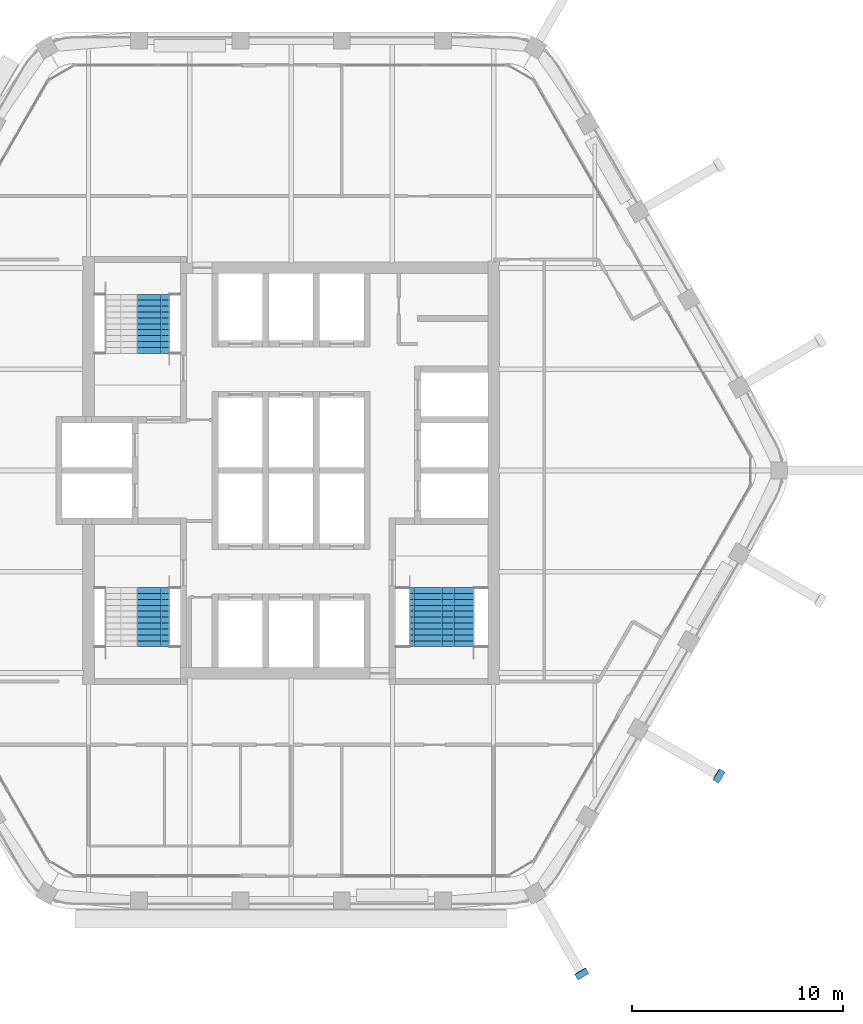
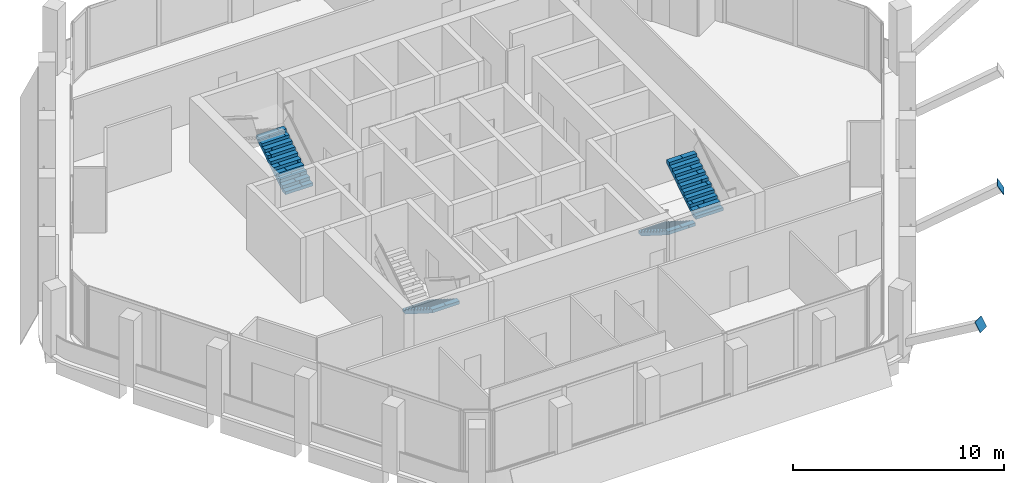
# One storey, part 11 of 14: 4 stair flights, 2 discrete accessories, 3 elements without a shape of their own.
"""IFC4 building model written with IfcOpenShell, lengths in metres."""

from ifc_helpers import new_model, si_unit, direction, frame, origin, origin_2d, place, context, subcontext, project, spatial, polyline, rectangle, outline, extrude, material, type_object, element, aggregate, save


model = new_model("IFC4")

# Units and contexts
model_context = context("Model", 3, precision=1e-05, world=origin(), true_north=direction((0.0, 1.0)))
body_context = subcontext(model_context, "Body", "Model", "MODEL_VIEW")
ifc_project = project(units=[si_unit("LENGTHUNIT", "METRE"), si_unit("AREAUNIT", "SQUARE_METRE"), si_unit("VOLUMEUNIT", "CUBIC_METRE"), si_unit("PLANEANGLEUNIT", "RADIAN"), si_unit("MASSUNIT", "GRAM", prefix="KILO")], contexts=[model_context])

# Site, building, storey
site_placement = place(None, origin())
site = spatial("IfcSite", under=ifc_project, at=site_placement, CompositionType="ELEMENT")
building_placement = place(site_placement, origin())
building = spatial("IfcBuilding", under=site, at=building_placement, Name="Kolab Exchange Tower", CompositionType="ELEMENT")
storey_placement = place(building_placement, frame((0.0, 0.0, 281.300048828125)))
storey = spatial("IfcBuildingStorey", under=building, at=storey_placement, Name="L63", CompositionType="ELEMENT", Elevation=281.300048828125)

# Stair, stair flight
ifc_material = material(Name="Concrete C50/60", Category="concrete")
stair_type_1 = type_object("IfcStairType", Name="STAIR ST1 RISER 177.3", PredefinedType="HALF_TURN_STAIR", material=ifc_material)
stair_1_placement = place(storey_placement, origin())
stair_1 = element("IfcStair", 1, at=stair_1_placement, inside=storey, type_object=stair_type_1, Name="Stair 1", PredefinedType="HALF_TURN_STAIR")
stair_flight_type = type_object("IfcStairFlightType", Name="STAIR FLIGHT 1500 RISER 177.3", PredefinedType="STRAIGHT", material=ifc_material)
stair_flight_1_placement = place(storey_placement, frame((-6.527587890625, 5.550048828125, 0.0), z_axis=(0.0, 0.0, 1.0), x_axis=(0.0, 1.0, 0.0)))
stair_flight_1 = element("IfcStairFlight", 2, at=stair_flight_1_placement, type_object=stair_flight_type, Name="ST1 flight 1", NumberOfRisers=11, NumberOfTreads=10, PredefinedType="STRAIGHT", RiserHeight=0.177272727, TreadLength=0.28, context=body_context, shape_type="SweptSolid", body=[
    extrude(outline(polyline([(0.0, 0.0), (0.0, 0.17724609375), (0.280029296875, 0.17724609375), (0.280029296875, 0.3544921875), (0.56005859375, 0.3544921875), (0.56005859375, 0.53173828125), (0.840087890625, 0.53173828125), (0.840087890625, 0.708984375), (1.1201171875, 0.708984375), (1.1201171875, 0.886474609375), (1.39990234375, 0.886474609375), (1.39990234375, 1.063720703125), (1.679931640625, 1.063720703125), (1.679931640625, 1.240966796875), (1.9599609375, 1.240966796875), (1.9599609375, 1.418212890625), (2.239990234375, 1.418212890625), (2.239990234375, 1.595458984375), (2.52001953125, 1.595458984375), (2.52001953125, 1.772705078125), (2.800048828125, 1.772705078125), (2.800048828125, 1.949951171875), (2.800048828125, 1.59521484375), (0.2802734375, 0.0), (0.0, 0.0)])), frame((0.0, 0.75, 0.0), z_axis=(0.0, -1.0, 0.0), x_axis=(1.0, 0.0, 0.0)), (0.0, 0.0, 1.0), 0.185791015625),
    extrude(outline(polyline([(0.0, 0.0), (0.0, 0.17724609375), (0.280029296875, 0.17724609375), (0.280029296875, 0.3544921875), (0.56005859375, 0.3544921875), (0.56005859375, 0.53173828125), (0.840087890625, 0.53173828125), (0.840087890625, 0.708984375), (1.1201171875, 0.708984375), (1.1201171875, 0.886474609375), (1.39990234375, 0.886474609375), (1.39990234375, 1.063720703125), (1.679931640625, 1.063720703125), (1.679931640625, 1.240966796875), (1.9599609375, 1.240966796875), (1.9599609375, 1.418212890625), (2.239990234375, 1.418212890625), (2.239990234375, 1.595458984375), (2.52001953125, 1.595458984375), (2.52001953125, 1.772705078125), (2.800048828125, 1.772705078125), (2.800048828125, 1.949951171875), (2.800048828125, 1.59521484375), (0.2802734375, 0.0), (0.0, 0.0)])), frame((0.0, 0.562255859375, 0.0), z_axis=(0.0, -1.0, 0.0), x_axis=(1.0, 0.0, 0.0)), (0.0, 0.0, 1.0), 0.185791015625),
    extrude(outline(polyline([(0.0, 0.0), (0.0, 0.17724609375), (0.280029296875, 0.17724609375), (0.280029296875, 0.3544921875), (0.56005859375, 0.3544921875), (0.56005859375, 0.53173828125), (0.840087890625, 0.53173828125), (0.840087890625, 0.708984375), (1.1201171875, 0.708984375), (1.1201171875, 0.886474609375), (1.39990234375, 0.886474609375), (1.39990234375, 1.063720703125), (1.679931640625, 1.063720703125), (1.679931640625, 1.240966796875), (1.9599609375, 1.240966796875), (1.9599609375, 1.418212890625), (2.239990234375, 1.418212890625), (2.239990234375, 1.595458984375), (2.52001953125, 1.595458984375), (2.52001953125, 1.772705078125), (2.800048828125, 1.772705078125), (2.800048828125, 1.949951171875), (2.800048828125, 1.59521484375), (0.2802734375, 0.0), (0.0, 0.0)])), frame((0.0, 0.37451171875, 0.0), z_axis=(0.0, -1.0, 0.0), x_axis=(1.0, 0.0, 0.0)), (0.0, 0.0, 1.0), 0.185791015625),
    extrude(outline(polyline([(0.0, 0.0), (0.0, 0.17724609375), (0.280029296875, 0.17724609375), (0.280029296875, 0.3544921875), (0.56005859375, 0.3544921875), (0.56005859375, 0.53173828125), (0.840087890625, 0.53173828125), (0.840087890625, 0.708984375), (1.1201171875, 0.708984375), (1.1201171875, 0.886474609375), (1.39990234375, 0.886474609375), (1.39990234375, 1.063720703125), (1.679931640625, 1.063720703125), (1.679931640625, 1.240966796875), (1.9599609375, 1.240966796875), (1.9599609375, 1.418212890625), (2.239990234375, 1.418212890625), (2.239990234375, 1.595458984375), (2.52001953125, 1.595458984375), (2.52001953125, 1.772705078125), (2.800048828125, 1.772705078125), (2.800048828125, 1.949951171875), (2.800048828125, 1.59521484375), (0.2802734375, 0.0), (0.0, 0.0)])), frame((0.0, 0.186767578125, 0.0), z_axis=(0.0, -1.0, 0.0), x_axis=(1.0, 0.0, 0.0)), (0.0, 0.0, 1.0), 0.185791015625),
    extrude(outline(polyline([(0.0, 0.0), (0.0, 0.17724609375), (0.280029296875, 0.17724609375), (0.280029296875, 0.3544921875), (0.56005859375, 0.3544921875), (0.56005859375, 0.53173828125), (0.840087890625, 0.53173828125), (0.840087890625, 0.708984375), (1.1201171875, 0.708984375), (1.1201171875, 0.886474609375), (1.39990234375, 0.886474609375), (1.39990234375, 1.063720703125), (1.679931640625, 1.063720703125), (1.679931640625, 1.240966796875), (1.9599609375, 1.240966796875), (1.9599609375, 1.418212890625), (2.239990234375, 1.418212890625), (2.239990234375, 1.595458984375), (2.52001953125, 1.595458984375), (2.52001953125, 1.772705078125), (2.800048828125, 1.772705078125), (2.800048828125, 1.949951171875), (2.800048828125, 1.59521484375), (0.2802734375, 0.0), (0.0, 0.0)])), frame((0.0, -0.0009765625, 0.0), z_axis=(0.0, -1.0, 0.0), x_axis=(1.0, 0.0, 0.0)), (0.0, 0.0, 1.0), 0.185791015625),
    extrude(outline(polyline([(0.0, 0.0), (0.0, 0.17724609375), (0.280029296875, 0.17724609375), (0.280029296875, 0.3544921875), (0.56005859375, 0.3544921875), (0.56005859375, 0.53173828125), (0.840087890625, 0.53173828125), (0.840087890625, 0.708984375), (1.1201171875, 0.708984375), (1.1201171875, 0.886474609375), (1.39990234375, 0.886474609375), (1.39990234375, 1.063720703125), (1.679931640625, 1.063720703125), (1.679931640625, 1.240966796875), (1.9599609375, 1.240966796875), (1.9599609375, 1.418212890625), (2.239990234375, 1.418212890625), (2.239990234375, 1.595458984375), (2.52001953125, 1.595458984375), (2.52001953125, 1.772705078125), (2.800048828125, 1.772705078125), (2.800048828125, 1.949951171875), (2.800048828125, 1.59521484375), (0.2802734375, 0.0), (0.0, 0.0)])), frame((0.0, -0.188720703125, 0.0), z_axis=(0.0, -1.0, 0.0), x_axis=(1.0, 0.0, 0.0)), (0.0, 0.0, 1.0), 0.185791015625),
    extrude(outline(polyline([(0.0, 0.0), (0.0, 0.17724609375), (0.280029296875, 0.17724609375), (0.280029296875, 0.3544921875), (0.56005859375, 0.3544921875), (0.56005859375, 0.53173828125), (0.840087890625, 0.53173828125), (0.840087890625, 0.708984375), (1.1201171875, 0.708984375), (1.1201171875, 0.886474609375), (1.39990234375, 0.886474609375), (1.39990234375, 1.063720703125), (1.679931640625, 1.063720703125), (1.679931640625, 1.240966796875), (1.9599609375, 1.240966796875), (1.9599609375, 1.418212890625), (2.239990234375, 1.418212890625), (2.239990234375, 1.595458984375), (2.52001953125, 1.595458984375), (2.52001953125, 1.772705078125), (2.800048828125, 1.772705078125), (2.800048828125, 1.949951171875), (2.800048828125, 1.59521484375), (0.2802734375, 0.0), (0.0, 0.0)])), frame((0.0, -0.37646484375, 0.0), z_axis=(0.0, -1.0, 0.0), x_axis=(1.0, 0.0, 0.0)), (0.0, 0.0, 1.0), 0.185791015625),
    extrude(outline(polyline([(0.0, 0.0), (0.0, 0.17724609375), (0.280029296875, 0.17724609375), (0.280029296875, 0.3544921875), (0.56005859375, 0.3544921875), (0.56005859375, 0.53173828125), (0.840087890625, 0.53173828125), (0.840087890625, 0.708984375), (1.1201171875, 0.708984375), (1.1201171875, 0.886474609375), (1.39990234375, 0.886474609375), (1.39990234375, 1.063720703125), (1.679931640625, 1.063720703125), (1.679931640625, 1.240966796875), (1.9599609375, 1.240966796875), (1.9599609375, 1.418212890625), (2.239990234375, 1.418212890625), (2.239990234375, 1.595458984375), (2.52001953125, 1.595458984375), (2.52001953125, 1.772705078125), (2.800048828125, 1.772705078125), (2.800048828125, 1.949951171875), (2.800048828125, 1.59521484375), (0.2802734375, 0.0), (0.0, 0.0)])), frame((0.0, -0.564208984375, 0.0), z_axis=(0.0, -1.0, 0.0), x_axis=(1.0, 0.0, 0.0)), (0.0, 0.0, 1.0), 0.185791015625),
])
aggregate(stair_1, [stair_flight_1])

stair_type_2 = type_object("IfcStairType", Name="STAIR ST3 RISER 177.3", PredefinedType="HALF_TURN_STAIR", material=ifc_material)
stair_2_placement = place(storey_placement, origin())
stair_2 = element("IfcStair", 3, at=stair_2_placement, inside=storey, type_object=stair_type_2, Name="Stair 3", PredefinedType="HALF_TURN_STAIR")
stair_flight_2_placement = place(storey_placement, frame((-6.527587890625, -5.550048828125, 0.0), z_axis=(0.0, 0.0, 1.0), x_axis=(0.0, -1.0, 0.0)))
stair_flight_2 = element("IfcStairFlight", 4, at=stair_flight_2_placement, type_object=stair_flight_type, Name="ST3 flight 1", NumberOfRisers=11, NumberOfTreads=10, PredefinedType="STRAIGHT", RiserHeight=0.177272727, TreadLength=0.28, context=body_context, shape_type="SweptSolid", body=[
    extrude(outline(polyline([(0.0, 0.0), (0.0, 0.17724609375), (0.280029296875, 0.17724609375), (0.280029296875, 0.3544921875), (0.56005859375, 0.3544921875), (0.56005859375, 0.53173828125), (0.840087890625, 0.53173828125), (0.840087890625, 0.708984375), (1.1201171875, 0.708984375), (1.1201171875, 0.886474609375), (1.39990234375, 0.886474609375), (1.39990234375, 1.063720703125), (1.679931640625, 1.063720703125), (1.679931640625, 1.240966796875), (1.9599609375, 1.240966796875), (1.9599609375, 1.418212890625), (2.239990234375, 1.418212890625), (2.239990234375, 1.595458984375), (2.52001953125, 1.595458984375), (2.52001953125, 1.772705078125), (2.800048828125, 1.772705078125), (2.800048828125, 1.949951171875), (2.800048828125, 1.59521484375), (0.2802734375, 0.0), (0.0, 0.0)])), frame((0.0, 0.75, 0.0), z_axis=(0.0, -1.0, 0.0), x_axis=(1.0, 0.0, 0.0)), (0.0, 0.0, 1.0), 0.185791015625),
    extrude(outline(polyline([(0.0, 0.0), (0.0, 0.17724609375), (0.280029296875, 0.17724609375), (0.280029296875, 0.3544921875), (0.56005859375, 0.3544921875), (0.56005859375, 0.53173828125), (0.840087890625, 0.53173828125), (0.840087890625, 0.708984375), (1.1201171875, 0.708984375), (1.1201171875, 0.886474609375), (1.39990234375, 0.886474609375), (1.39990234375, 1.063720703125), (1.679931640625, 1.063720703125), (1.679931640625, 1.240966796875), (1.9599609375, 1.240966796875), (1.9599609375, 1.418212890625), (2.239990234375, 1.418212890625), (2.239990234375, 1.595458984375), (2.52001953125, 1.595458984375), (2.52001953125, 1.772705078125), (2.800048828125, 1.772705078125), (2.800048828125, 1.949951171875), (2.800048828125, 1.59521484375), (0.2802734375, 0.0), (0.0, 0.0)])), frame((0.0, 0.562255859375, 0.0), z_axis=(0.0, -1.0, 0.0), x_axis=(1.0, 0.0, 0.0)), (0.0, 0.0, 1.0), 0.185791015625),
    extrude(outline(polyline([(0.0, 0.0), (0.0, 0.17724609375), (0.280029296875, 0.17724609375), (0.280029296875, 0.3544921875), (0.56005859375, 0.3544921875), (0.56005859375, 0.53173828125), (0.840087890625, 0.53173828125), (0.840087890625, 0.708984375), (1.1201171875, 0.708984375), (1.1201171875, 0.886474609375), (1.39990234375, 0.886474609375), (1.39990234375, 1.063720703125), (1.679931640625, 1.063720703125), (1.679931640625, 1.240966796875), (1.9599609375, 1.240966796875), (1.9599609375, 1.418212890625), (2.239990234375, 1.418212890625), (2.239990234375, 1.595458984375), (2.52001953125, 1.595458984375), (2.52001953125, 1.772705078125), (2.800048828125, 1.772705078125), (2.800048828125, 1.949951171875), (2.800048828125, 1.59521484375), (0.2802734375, 0.0), (0.0, 0.0)])), frame((0.0, 0.37451171875, 0.0), z_axis=(0.0, -1.0, 0.0), x_axis=(1.0, 0.0, 0.0)), (0.0, 0.0, 1.0), 0.185791015625),
    extrude(outline(polyline([(0.0, 0.0), (0.0, 0.17724609375), (0.280029296875, 0.17724609375), (0.280029296875, 0.3544921875), (0.56005859375, 0.3544921875), (0.56005859375, 0.53173828125), (0.840087890625, 0.53173828125), (0.840087890625, 0.708984375), (1.1201171875, 0.708984375), (1.1201171875, 0.886474609375), (1.39990234375, 0.886474609375), (1.39990234375, 1.063720703125), (1.679931640625, 1.063720703125), (1.679931640625, 1.240966796875), (1.9599609375, 1.240966796875), (1.9599609375, 1.418212890625), (2.239990234375, 1.418212890625), (2.239990234375, 1.595458984375), (2.52001953125, 1.595458984375), (2.52001953125, 1.772705078125), (2.800048828125, 1.772705078125), (2.800048828125, 1.949951171875), (2.800048828125, 1.59521484375), (0.2802734375, 0.0), (0.0, 0.0)])), frame((0.0, 0.186767578125, 0.0), z_axis=(0.0, -1.0, 0.0), x_axis=(1.0, 0.0, 0.0)), (0.0, 0.0, 1.0), 0.185791015625),
    extrude(outline(polyline([(0.0, 0.0), (0.0, 0.17724609375), (0.280029296875, 0.17724609375), (0.280029296875, 0.3544921875), (0.56005859375, 0.3544921875), (0.56005859375, 0.53173828125), (0.840087890625, 0.53173828125), (0.840087890625, 0.708984375), (1.1201171875, 0.708984375), (1.1201171875, 0.886474609375), (1.39990234375, 0.886474609375), (1.39990234375, 1.063720703125), (1.679931640625, 1.063720703125), (1.679931640625, 1.240966796875), (1.9599609375, 1.240966796875), (1.9599609375, 1.418212890625), (2.239990234375, 1.418212890625), (2.239990234375, 1.595458984375), (2.52001953125, 1.595458984375), (2.52001953125, 1.772705078125), (2.800048828125, 1.772705078125), (2.800048828125, 1.949951171875), (2.800048828125, 1.59521484375), (0.2802734375, 0.0), (0.0, 0.0)])), frame((0.0, -0.0009765625, 0.0), z_axis=(0.0, -1.0, 0.0), x_axis=(1.0, 0.0, 0.0)), (0.0, 0.0, 1.0), 0.185791015625),
    extrude(outline(polyline([(0.0, 0.0), (0.0, 0.17724609375), (0.280029296875, 0.17724609375), (0.280029296875, 0.3544921875), (0.56005859375, 0.3544921875), (0.56005859375, 0.53173828125), (0.840087890625, 0.53173828125), (0.840087890625, 0.708984375), (1.1201171875, 0.708984375), (1.1201171875, 0.886474609375), (1.39990234375, 0.886474609375), (1.39990234375, 1.063720703125), (1.679931640625, 1.063720703125), (1.679931640625, 1.240966796875), (1.9599609375, 1.240966796875), (1.9599609375, 1.418212890625), (2.239990234375, 1.418212890625), (2.239990234375, 1.595458984375), (2.52001953125, 1.595458984375), (2.52001953125, 1.772705078125), (2.800048828125, 1.772705078125), (2.800048828125, 1.949951171875), (2.800048828125, 1.59521484375), (0.2802734375, 0.0), (0.0, 0.0)])), frame((0.0, -0.188720703125, 0.0), z_axis=(0.0, -1.0, 0.0), x_axis=(1.0, 0.0, 0.0)), (0.0, 0.0, 1.0), 0.185791015625),
    extrude(outline(polyline([(0.0, 0.0), (0.0, 0.17724609375), (0.280029296875, 0.17724609375), (0.280029296875, 0.3544921875), (0.56005859375, 0.3544921875), (0.56005859375, 0.53173828125), (0.840087890625, 0.53173828125), (0.840087890625, 0.708984375), (1.1201171875, 0.708984375), (1.1201171875, 0.886474609375), (1.39990234375, 0.886474609375), (1.39990234375, 1.063720703125), (1.679931640625, 1.063720703125), (1.679931640625, 1.240966796875), (1.9599609375, 1.240966796875), (1.9599609375, 1.418212890625), (2.239990234375, 1.418212890625), (2.239990234375, 1.595458984375), (2.52001953125, 1.595458984375), (2.52001953125, 1.772705078125), (2.800048828125, 1.772705078125), (2.800048828125, 1.949951171875), (2.800048828125, 1.59521484375), (0.2802734375, 0.0), (0.0, 0.0)])), frame((0.0, -0.37646484375, 0.0), z_axis=(0.0, -1.0, 0.0), x_axis=(1.0, 0.0, 0.0)), (0.0, 0.0, 1.0), 0.185791015625),
    extrude(outline(polyline([(0.0, 0.0), (0.0, 0.17724609375), (0.280029296875, 0.17724609375), (0.280029296875, 0.3544921875), (0.56005859375, 0.3544921875), (0.56005859375, 0.53173828125), (0.840087890625, 0.53173828125), (0.840087890625, 0.708984375), (1.1201171875, 0.708984375), (1.1201171875, 0.886474609375), (1.39990234375, 0.886474609375), (1.39990234375, 1.063720703125), (1.679931640625, 1.063720703125), (1.679931640625, 1.240966796875), (1.9599609375, 1.240966796875), (1.9599609375, 1.418212890625), (2.239990234375, 1.418212890625), (2.239990234375, 1.595458984375), (2.52001953125, 1.595458984375), (2.52001953125, 1.772705078125), (2.800048828125, 1.772705078125), (2.800048828125, 1.949951171875), (2.800048828125, 1.59521484375), (0.2802734375, 0.0), (0.0, 0.0)])), frame((0.0, -0.564208984375, 0.0), z_axis=(0.0, -1.0, 0.0), x_axis=(1.0, 0.0, 0.0)), (0.0, 0.0, 1.0), 0.185791015625),
])
aggregate(stair_2, [stair_flight_2])

# Stair, stair flights
stair_type_3 = type_object("IfcStairType", Name="STAIR ST2 RISER 177.3", PredefinedType="HALF_TURN_STAIR", material=ifc_material)
stair_3_placement = place(storey_placement, origin())
stair_3 = element("IfcStair", 5, at=stair_3_placement, inside=storey, type_object=stair_type_3, Name="Stair 2", PredefinedType="HALF_TURN_STAIR")
stair_flight_3_placement = place(storey_placement, frame((6.37744140625, -5.550048828125, 0.0), z_axis=(0.0, 0.0, 1.0), x_axis=(0.0, -1.0, 0.0)))
stair_flight_3 = element("IfcStairFlight", 6, at=stair_flight_3_placement, type_object=stair_flight_type, Name="ST2 flight 1", NumberOfRisers=11, NumberOfTreads=10, PredefinedType="STRAIGHT", RiserHeight=0.177272727, TreadLength=0.28, context=body_context, shape_type="SweptSolid", body=[
    extrude(outline(polyline([(0.0, 0.0), (0.0, 0.17724609375), (0.280029296875, 0.17724609375), (0.280029296875, 0.3544921875), (0.56005859375, 0.3544921875), (0.56005859375, 0.53173828125), (0.840087890625, 0.53173828125), (0.840087890625, 0.708984375), (1.1201171875, 0.708984375), (1.1201171875, 0.886474609375), (1.39990234375, 0.886474609375), (1.39990234375, 1.063720703125), (1.679931640625, 1.063720703125), (1.679931640625, 1.240966796875), (1.9599609375, 1.240966796875), (1.9599609375, 1.418212890625), (2.239990234375, 1.418212890625), (2.239990234375, 1.595458984375), (2.52001953125, 1.595458984375), (2.52001953125, 1.772705078125), (2.800048828125, 1.772705078125), (2.800048828125, 1.949951171875), (2.800048828125, 1.59521484375), (0.2802734375, 0.0), (0.0, 0.0)])), frame((0.0, 0.75, 0.0), z_axis=(0.0, -1.0, 0.0), x_axis=(1.0, 0.0, 0.0)), (0.0, 0.0, 1.0), 0.185791015625),
    extrude(outline(polyline([(0.0, 0.0), (0.0, 0.17724609375), (0.280029296875, 0.17724609375), (0.280029296875, 0.3544921875), (0.56005859375, 0.3544921875), (0.56005859375, 0.53173828125), (0.840087890625, 0.53173828125), (0.840087890625, 0.708984375), (1.1201171875, 0.708984375), (1.1201171875, 0.886474609375), (1.39990234375, 0.886474609375), (1.39990234375, 1.063720703125), (1.679931640625, 1.063720703125), (1.679931640625, 1.240966796875), (1.9599609375, 1.240966796875), (1.9599609375, 1.418212890625), (2.239990234375, 1.418212890625), (2.239990234375, 1.595458984375), (2.52001953125, 1.595458984375), (2.52001953125, 1.772705078125), (2.800048828125, 1.772705078125), (2.800048828125, 1.949951171875), (2.800048828125, 1.59521484375), (0.2802734375, 0.0), (0.0, 0.0)])), frame((0.0, 0.562255859375, 0.0), z_axis=(0.0, -1.0, 0.0), x_axis=(1.0, 0.0, 0.0)), (0.0, 0.0, 1.0), 0.185791015625),
    extrude(outline(polyline([(0.0, 0.0), (0.0, 0.17724609375), (0.280029296875, 0.17724609375), (0.280029296875, 0.3544921875), (0.56005859375, 0.3544921875), (0.56005859375, 0.53173828125), (0.840087890625, 0.53173828125), (0.840087890625, 0.708984375), (1.1201171875, 0.708984375), (1.1201171875, 0.886474609375), (1.39990234375, 0.886474609375), (1.39990234375, 1.063720703125), (1.679931640625, 1.063720703125), (1.679931640625, 1.240966796875), (1.9599609375, 1.240966796875), (1.9599609375, 1.418212890625), (2.239990234375, 1.418212890625), (2.239990234375, 1.595458984375), (2.52001953125, 1.595458984375), (2.52001953125, 1.772705078125), (2.800048828125, 1.772705078125), (2.800048828125, 1.949951171875), (2.800048828125, 1.59521484375), (0.2802734375, 0.0), (0.0, 0.0)])), frame((0.0, 0.37451171875, 0.0), z_axis=(0.0, -1.0, 0.0), x_axis=(1.0, 0.0, 0.0)), (0.0, 0.0, 1.0), 0.185791015625),
    extrude(outline(polyline([(0.0, 0.0), (0.0, 0.17724609375), (0.280029296875, 0.17724609375), (0.280029296875, 0.3544921875), (0.56005859375, 0.3544921875), (0.56005859375, 0.53173828125), (0.840087890625, 0.53173828125), (0.840087890625, 0.708984375), (1.1201171875, 0.708984375), (1.1201171875, 0.886474609375), (1.39990234375, 0.886474609375), (1.39990234375, 1.063720703125), (1.679931640625, 1.063720703125), (1.679931640625, 1.240966796875), (1.9599609375, 1.240966796875), (1.9599609375, 1.418212890625), (2.239990234375, 1.418212890625), (2.239990234375, 1.595458984375), (2.52001953125, 1.595458984375), (2.52001953125, 1.772705078125), (2.800048828125, 1.772705078125), (2.800048828125, 1.949951171875), (2.800048828125, 1.59521484375), (0.2802734375, 0.0), (0.0, 0.0)])), frame((0.0, 0.186767578125, 0.0), z_axis=(0.0, -1.0, 0.0), x_axis=(1.0, 0.0, 0.0)), (0.0, 0.0, 1.0), 0.185791015625),
    extrude(outline(polyline([(0.0, 0.0), (0.0, 0.17724609375), (0.280029296875, 0.17724609375), (0.280029296875, 0.3544921875), (0.56005859375, 0.3544921875), (0.56005859375, 0.53173828125), (0.840087890625, 0.53173828125), (0.840087890625, 0.708984375), (1.1201171875, 0.708984375), (1.1201171875, 0.886474609375), (1.39990234375, 0.886474609375), (1.39990234375, 1.063720703125), (1.679931640625, 1.063720703125), (1.679931640625, 1.240966796875), (1.9599609375, 1.240966796875), (1.9599609375, 1.418212890625), (2.239990234375, 1.418212890625), (2.239990234375, 1.595458984375), (2.52001953125, 1.595458984375), (2.52001953125, 1.772705078125), (2.800048828125, 1.772705078125), (2.800048828125, 1.949951171875), (2.800048828125, 1.59521484375), (0.2802734375, 0.0), (0.0, 0.0)])), frame((0.0, -0.0009765625, 0.0), z_axis=(0.0, -1.0, 0.0), x_axis=(1.0, 0.0, 0.0)), (0.0, 0.0, 1.0), 0.185791015625),
    extrude(outline(polyline([(0.0, 0.0), (0.0, 0.17724609375), (0.280029296875, 0.17724609375), (0.280029296875, 0.3544921875), (0.56005859375, 0.3544921875), (0.56005859375, 0.53173828125), (0.840087890625, 0.53173828125), (0.840087890625, 0.708984375), (1.1201171875, 0.708984375), (1.1201171875, 0.886474609375), (1.39990234375, 0.886474609375), (1.39990234375, 1.063720703125), (1.679931640625, 1.063720703125), (1.679931640625, 1.240966796875), (1.9599609375, 1.240966796875), (1.9599609375, 1.418212890625), (2.239990234375, 1.418212890625), (2.239990234375, 1.595458984375), (2.52001953125, 1.595458984375), (2.52001953125, 1.772705078125), (2.800048828125, 1.772705078125), (2.800048828125, 1.949951171875), (2.800048828125, 1.59521484375), (0.2802734375, 0.0), (0.0, 0.0)])), frame((0.0, -0.188720703125, 0.0), z_axis=(0.0, -1.0, 0.0), x_axis=(1.0, 0.0, 0.0)), (0.0, 0.0, 1.0), 0.185791015625),
    extrude(outline(polyline([(0.0, 0.0), (0.0, 0.17724609375), (0.280029296875, 0.17724609375), (0.280029296875, 0.3544921875), (0.56005859375, 0.3544921875), (0.56005859375, 0.53173828125), (0.840087890625, 0.53173828125), (0.840087890625, 0.708984375), (1.1201171875, 0.708984375), (1.1201171875, 0.886474609375), (1.39990234375, 0.886474609375), (1.39990234375, 1.063720703125), (1.679931640625, 1.063720703125), (1.679931640625, 1.240966796875), (1.9599609375, 1.240966796875), (1.9599609375, 1.418212890625), (2.239990234375, 1.418212890625), (2.239990234375, 1.595458984375), (2.52001953125, 1.595458984375), (2.52001953125, 1.772705078125), (2.800048828125, 1.772705078125), (2.800048828125, 1.949951171875), (2.800048828125, 1.59521484375), (0.2802734375, 0.0), (0.0, 0.0)])), frame((0.0, -0.37646484375, 0.0), z_axis=(0.0, -1.0, 0.0), x_axis=(1.0, 0.0, 0.0)), (0.0, 0.0, 1.0), 0.185791015625),
    extrude(outline(polyline([(0.0, 0.0), (0.0, 0.17724609375), (0.280029296875, 0.17724609375), (0.280029296875, 0.3544921875), (0.56005859375, 0.3544921875), (0.56005859375, 0.53173828125), (0.840087890625, 0.53173828125), (0.840087890625, 0.708984375), (1.1201171875, 0.708984375), (1.1201171875, 0.886474609375), (1.39990234375, 0.886474609375), (1.39990234375, 1.063720703125), (1.679931640625, 1.063720703125), (1.679931640625, 1.240966796875), (1.9599609375, 1.240966796875), (1.9599609375, 1.418212890625), (2.239990234375, 1.418212890625), (2.239990234375, 1.595458984375), (2.52001953125, 1.595458984375), (2.52001953125, 1.772705078125), (2.800048828125, 1.772705078125), (2.800048828125, 1.949951171875), (2.800048828125, 1.59521484375), (0.2802734375, 0.0), (0.0, 0.0)])), frame((0.0, -0.564208984375, 0.0), z_axis=(0.0, -1.0, 0.0), x_axis=(1.0, 0.0, 0.0)), (0.0, 0.0, 1.0), 0.185791015625),
])
stair_flight_4_placement = place(storey_placement, frame((7.8974609375, -8.35009765625, 1.949951171875), z_axis=(0.0, 0.0, 1.0), x_axis=(0.0, 1.0, 0.0)))
stair_flight_4 = element("IfcStairFlight", 7, at=stair_flight_4_placement, type_object=stair_flight_type, Name="ST2 flight 2", NumberOfRisers=11, NumberOfTreads=10, PredefinedType="STRAIGHT", RiserHeight=0.177272727, TreadLength=0.28, context=body_context, shape_type="SweptSolid", body=[
    extrude(outline(polyline([(0.0, 0.0), (0.0, 0.17724609375), (0.280029296875, 0.17724609375), (0.280029296875, 0.3544921875), (0.56005859375, 0.3544921875), (0.56005859375, 0.53173828125), (0.840087890625, 0.53173828125), (0.840087890625, 0.708984375), (1.1201171875, 0.708984375), (1.1201171875, 0.886474609375), (1.39990234375, 0.886474609375), (1.39990234375, 1.063720703125), (1.679931640625, 1.063720703125), (1.679931640625, 1.240966796875), (1.9599609375, 1.240966796875), (1.9599609375, 1.418212890625), (2.239990234375, 1.418212890625), (2.239990234375, 1.595458984375), (2.52001953125, 1.595458984375), (2.52001953125, 1.772705078125), (2.800048828125, 1.772705078125), (2.800048828125, 1.949951171875), (2.800048828125, 1.59521484375), (0.2802734375, 0.0), (0.0, 0.0)])), frame((0.0, 0.75, 0.0), z_axis=(0.0, -1.0, 0.0), x_axis=(1.0, 0.0, 0.0)), (0.0, 0.0, 1.0), 0.185791015625),
    extrude(outline(polyline([(0.0, 0.0), (0.0, 0.17724609375), (0.280029296875, 0.17724609375), (0.280029296875, 0.3544921875), (0.56005859375, 0.3544921875), (0.56005859375, 0.53173828125), (0.840087890625, 0.53173828125), (0.840087890625, 0.708984375), (1.1201171875, 0.708984375), (1.1201171875, 0.886474609375), (1.39990234375, 0.886474609375), (1.39990234375, 1.063720703125), (1.679931640625, 1.063720703125), (1.679931640625, 1.240966796875), (1.9599609375, 1.240966796875), (1.9599609375, 1.418212890625), (2.239990234375, 1.418212890625), (2.239990234375, 1.595458984375), (2.52001953125, 1.595458984375), (2.52001953125, 1.772705078125), (2.800048828125, 1.772705078125), (2.800048828125, 1.949951171875), (2.800048828125, 1.59521484375), (0.2802734375, 0.0), (0.0, 0.0)])), frame((0.0, 0.562255859375, 0.0), z_axis=(0.0, -1.0, 0.0), x_axis=(1.0, 0.0, 0.0)), (0.0, 0.0, 1.0), 0.185791015625),
    extrude(outline(polyline([(0.0, 0.0), (0.0, 0.17724609375), (0.280029296875, 0.17724609375), (0.280029296875, 0.3544921875), (0.56005859375, 0.3544921875), (0.56005859375, 0.53173828125), (0.840087890625, 0.53173828125), (0.840087890625, 0.708984375), (1.1201171875, 0.708984375), (1.1201171875, 0.886474609375), (1.39990234375, 0.886474609375), (1.39990234375, 1.063720703125), (1.679931640625, 1.063720703125), (1.679931640625, 1.240966796875), (1.9599609375, 1.240966796875), (1.9599609375, 1.418212890625), (2.239990234375, 1.418212890625), (2.239990234375, 1.595458984375), (2.52001953125, 1.595458984375), (2.52001953125, 1.772705078125), (2.800048828125, 1.772705078125), (2.800048828125, 1.949951171875), (2.800048828125, 1.59521484375), (0.2802734375, 0.0), (0.0, 0.0)])), frame((0.0, 0.37451171875, 0.0), z_axis=(0.0, -1.0, 0.0), x_axis=(1.0, 0.0, 0.0)), (0.0, 0.0, 1.0), 0.185791015625),
    extrude(outline(polyline([(0.0, 0.0), (0.0, 0.17724609375), (0.280029296875, 0.17724609375), (0.280029296875, 0.3544921875), (0.56005859375, 0.3544921875), (0.56005859375, 0.53173828125), (0.840087890625, 0.53173828125), (0.840087890625, 0.708984375), (1.1201171875, 0.708984375), (1.1201171875, 0.886474609375), (1.39990234375, 0.886474609375), (1.39990234375, 1.063720703125), (1.679931640625, 1.063720703125), (1.679931640625, 1.240966796875), (1.9599609375, 1.240966796875), (1.9599609375, 1.418212890625), (2.239990234375, 1.418212890625), (2.239990234375, 1.595458984375), (2.52001953125, 1.595458984375), (2.52001953125, 1.772705078125), (2.800048828125, 1.772705078125), (2.800048828125, 1.949951171875), (2.800048828125, 1.59521484375), (0.2802734375, 0.0), (0.0, 0.0)])), frame((0.0, 0.186767578125, 0.0), z_axis=(0.0, -1.0, 0.0), x_axis=(1.0, 0.0, 0.0)), (0.0, 0.0, 1.0), 0.185791015625),
    extrude(outline(polyline([(0.0, 0.0), (0.0, 0.17724609375), (0.280029296875, 0.17724609375), (0.280029296875, 0.3544921875), (0.56005859375, 0.3544921875), (0.56005859375, 0.53173828125), (0.840087890625, 0.53173828125), (0.840087890625, 0.708984375), (1.1201171875, 0.708984375), (1.1201171875, 0.886474609375), (1.39990234375, 0.886474609375), (1.39990234375, 1.063720703125), (1.679931640625, 1.063720703125), (1.679931640625, 1.240966796875), (1.9599609375, 1.240966796875), (1.9599609375, 1.418212890625), (2.239990234375, 1.418212890625), (2.239990234375, 1.595458984375), (2.52001953125, 1.595458984375), (2.52001953125, 1.772705078125), (2.800048828125, 1.772705078125), (2.800048828125, 1.949951171875), (2.800048828125, 1.59521484375), (0.2802734375, 0.0), (0.0, 0.0)])), frame((0.0, -0.0009765625, 0.0), z_axis=(0.0, -1.0, 0.0), x_axis=(1.0, 0.0, 0.0)), (0.0, 0.0, 1.0), 0.185791015625),
    extrude(outline(polyline([(0.0, 0.0), (0.0, 0.17724609375), (0.280029296875, 0.17724609375), (0.280029296875, 0.3544921875), (0.56005859375, 0.3544921875), (0.56005859375, 0.53173828125), (0.840087890625, 0.53173828125), (0.840087890625, 0.708984375), (1.1201171875, 0.708984375), (1.1201171875, 0.886474609375), (1.39990234375, 0.886474609375), (1.39990234375, 1.063720703125), (1.679931640625, 1.063720703125), (1.679931640625, 1.240966796875), (1.9599609375, 1.240966796875), (1.9599609375, 1.418212890625), (2.239990234375, 1.418212890625), (2.239990234375, 1.595458984375), (2.52001953125, 1.595458984375), (2.52001953125, 1.772705078125), (2.800048828125, 1.772705078125), (2.800048828125, 1.949951171875), (2.800048828125, 1.59521484375), (0.2802734375, 0.0), (0.0, 0.0)])), frame((0.0, -0.188720703125, 0.0), z_axis=(0.0, -1.0, 0.0), x_axis=(1.0, 0.0, 0.0)), (0.0, 0.0, 1.0), 0.185791015625),
    extrude(outline(polyline([(0.0, 0.0), (0.0, 0.17724609375), (0.280029296875, 0.17724609375), (0.280029296875, 0.3544921875), (0.56005859375, 0.3544921875), (0.56005859375, 0.53173828125), (0.840087890625, 0.53173828125), (0.840087890625, 0.708984375), (1.1201171875, 0.708984375), (1.1201171875, 0.886474609375), (1.39990234375, 0.886474609375), (1.39990234375, 1.063720703125), (1.679931640625, 1.063720703125), (1.679931640625, 1.240966796875), (1.9599609375, 1.240966796875), (1.9599609375, 1.418212890625), (2.239990234375, 1.418212890625), (2.239990234375, 1.595458984375), (2.52001953125, 1.595458984375), (2.52001953125, 1.772705078125), (2.800048828125, 1.772705078125), (2.800048828125, 1.949951171875), (2.800048828125, 1.59521484375), (0.2802734375, 0.0), (0.0, 0.0)])), frame((0.0, -0.37646484375, 0.0), z_axis=(0.0, -1.0, 0.0), x_axis=(1.0, 0.0, 0.0)), (0.0, 0.0, 1.0), 0.185791015625),
    extrude(outline(polyline([(0.0, 0.0), (0.0, 0.17724609375), (0.280029296875, 0.17724609375), (0.280029296875, 0.3544921875), (0.56005859375, 0.3544921875), (0.56005859375, 0.53173828125), (0.840087890625, 0.53173828125), (0.840087890625, 0.708984375), (1.1201171875, 0.708984375), (1.1201171875, 0.886474609375), (1.39990234375, 0.886474609375), (1.39990234375, 1.063720703125), (1.679931640625, 1.063720703125), (1.679931640625, 1.240966796875), (1.9599609375, 1.240966796875), (1.9599609375, 1.418212890625), (2.239990234375, 1.418212890625), (2.239990234375, 1.595458984375), (2.52001953125, 1.595458984375), (2.52001953125, 1.772705078125), (2.800048828125, 1.772705078125), (2.800048828125, 1.949951171875), (2.800048828125, 1.59521484375), (0.2802734375, 0.0), (0.0, 0.0)])), frame((0.0, -0.564208984375, 0.0), z_axis=(0.0, -1.0, 0.0), x_axis=(1.0, 0.0, 0.0)), (0.0, 0.0, 1.0), 0.185791015625),
])
aggregate(stair_3, [stair_flight_3, stair_flight_4])

# Discrete accessories
discrete_accessory_1_placement = place(storey_placement, frame((20.26416015625, -14.470703125, 2.968017578125), z_axis=(0.74516966604, -0.441218881208, 0.500048065369), x_axis=(0.509492006668, 0.860475389039, 0.0)))
element("IfcDiscreteAccessory", 8, at=discrete_accessory_1_placement, inside=storey, Name="Gusset plate", ObjectType="GUSSET PLATE", PredefinedType="USERDEFINED", context=body_context, shape_type="SweptSolid", body=[
    extrude(rectangle(XDim=0.60009765625, YDim=0.60009765625, at=origin_2d()), origin(), (0.0, 0.0, 1.0), 0.02490234375),
])
discrete_accessory_2_placement = place(storey_placement, frame((13.767822265625, -23.8466796875, 2.968017578125), z_axis=(0.438009363767, -0.749482689112, 0.496410612269), x_axis=(0.863371944127, 0.504568019295, 0.0)))
element("IfcDiscreteAccessory", 9, at=discrete_accessory_2_placement, inside=storey, Name="Gusset plate", ObjectType="GUSSET PLATE", PredefinedType="USERDEFINED", context=body_context, shape_type="SweptSolid", body=[
    extrude(rectangle(XDim=0.60009765625, YDim=0.60009765625, at=origin_2d()), origin(), (0.0, 0.0, 1.0), 0.025146484375),
])

save(model, "model.ifc")
